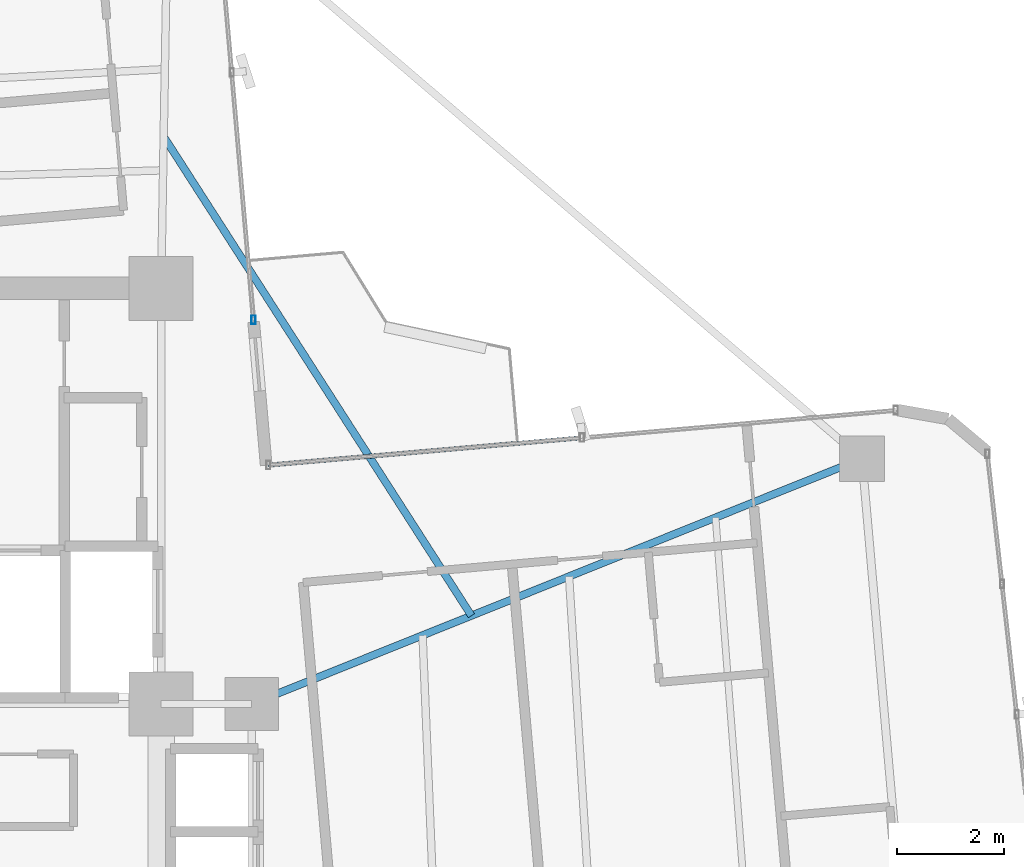
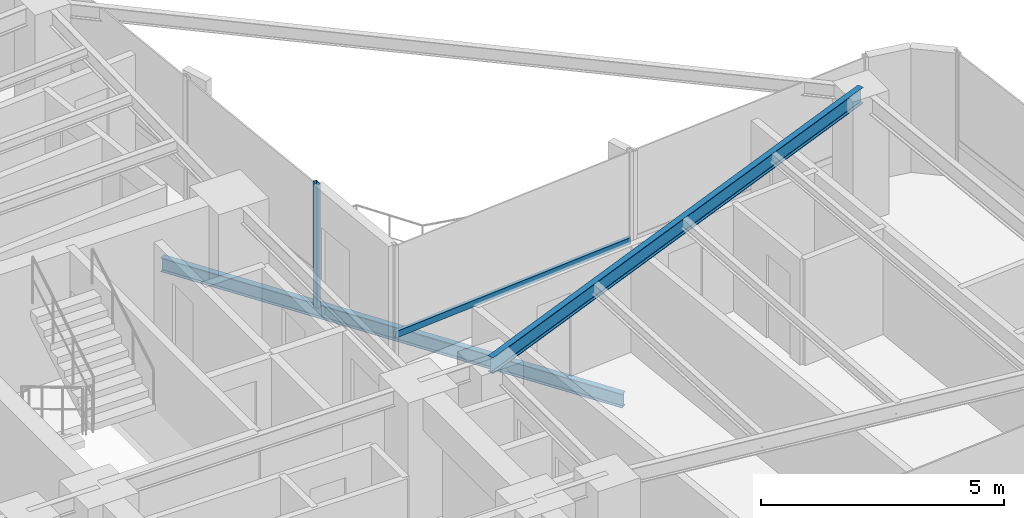
# One storey, part 12 of 24: 2 beams, 2 members, 2 elements without a shape of their own.
"""IFC4 building model written with IfcOpenShell, lengths in metres."""

from ifc_helpers import new_model, si_unit, direction, frame, origin, origin_2d, place, context, subcontext, project, spatial, hollow_rectangle, i_section, extrude, source, transform, mapped, material, material_profile, profile_set, type_object, element, aggregate, save


model = new_model("IFC4")

# Units and contexts
model_context = context("Model", 3, precision=1e-05, world=origin(), true_north=direction((0.0, 1.0)))
body_context = subcontext(model_context, "Body", "Model", "MODEL_VIEW")
ifc_project = project(units=[si_unit("LENGTHUNIT", "METRE"), si_unit("AREAUNIT", "SQUARE_METRE"), si_unit("VOLUMEUNIT", "CUBIC_METRE"), si_unit("PLANEANGLEUNIT", "RADIAN"), si_unit("MASSUNIT", "GRAM", prefix="KILO")], contexts=[model_context])

# Site, building, storey
site_placement = place(None, origin())
site = spatial("IfcSite", under=ifc_project, at=site_placement, CompositionType="ELEMENT")
building_placement = place(site_placement, origin())
building = spatial("IfcBuilding", under=site, at=building_placement, Name="Sahyath Konkavel Grand Hotel", CompositionType="ELEMENT")
storey_placement = place(building_placement, frame((0.0, 0.0, 175.199951171875)))
storey = spatial("IfcBuildingStorey", under=building, at=storey_placement, Name="L48", CompositionType="ELEMENT", Elevation=175.199951171875)

# Beam
ifc_material_1 = material(Name="Steel E350", Category="steel")
ifc_material_profile_1 = material_profile(ifc_material_1, i_section(OverallWidth=0.139892578125, OverallDepth=0.39990234375, WebThickness=0.0087890625, FlangeThickness=0.01611328125, FilletRadius=0.013916015625, at=origin_2d()), Name="ISMB 400")
ifc_profile_set_1 = profile_set([ifc_material_profile_1], Name="Steel E350")
beam_type_1 = type_object("IfcBeamType", Name="BM-ISMB400", PredefinedType="BEAM", material=ifc_profile_set_1)
shared_shape_1 = source(origin(), body_context, "Body", "SweptSolid", [
    extrude(i_section(OverallWidth=0.139892578125, OverallDepth=0.39990234375, WebThickness=0.0087890625, FlangeThickness=0.01611328125, FilletRadius=0.013916015625, at=origin_2d()), origin(), (0.0, 0.0, 1.0), 12.344970703125),
])
beam_1_placement = place(storey_placement, frame((5.5, 2.39990234375, 2.91015625), z_axis=(0.927837014101, 0.372985891507, 0.0), x_axis=(-0.372985891507, 0.927837014101, 0.0)))
element("IfcBeam", 1, at=beam_1_placement, inside=storey, type_object=beam_type_1, Name="L48 Cruciform Radial Girder EB", PredefinedType="BEAM", context=body_context, shape_type="MappedRepresentation", body=[
    mapped(shared_shape_1, transform((0.0, 0.0, 0.0), scale=1.0)),
])

# Curtain wall, member
ifc_material_2 = material(Name="Anodised Bronze Aluminium & Low-E Glazing", Category="aluminium")
curtain_wall_type = type_object("IfcCurtainWallType", Name="CW-ZONE3", PredefinedType="NOTDEFINED", material=ifc_material_2)
curtain_wall_1_placement = place(storey_placement, origin())
curtain_wall_1 = element("IfcCurtainWall", 2, at=curtain_wall_1_placement, inside=storey, type_object=curtain_wall_type, Name="L48 Unitised Curtain Wall F8", PredefinedType="NOTDEFINED")
ifc_material_3 = material(Name="Anodised Bronze Aluminium", Category="aluminium")
ifc_material_profile_2 = material_profile(ifc_material_3, hollow_rectangle(XDim=0.080078125, YDim=0.159912109375, WallThickness=0.006103515625, at=origin_2d()), Name="RHS 160x80x6")
ifc_profile_set_2 = profile_set([ifc_material_profile_2], Name="Anodised Bronze Aluminium")
member_type_1 = type_object("IfcMemberType", Name="CW-MUL-160", PredefinedType="MULLION", material=ifc_profile_set_2)
shared_shape_2 = source(origin(), body_context, "Body", "SweptSolid", [
    extrude(hollow_rectangle(XDim=0.080078125, YDim=0.159912109375, WallThickness=0.006103515625, at=origin_2d()), origin(), (0.0, 0.0, 1.0), 3.110107421875),
])
member_1_placement = place(storey_placement, frame((5.53369140625, 9.60888671875, 0.0), z_axis=(0.0, 0.0, 1.0), x_axis=(1.0, 0.0, 0.0)))
member_1 = element("IfcMember", 3, at=member_1_placement, type_object=member_type_1, Name="L48 Curtain Wall Mullion F8-0", PredefinedType="MULLION", context=body_context, shape_type="MappedRepresentation", body=[
    mapped(shared_shape_2, transform((0.0, 0.0, 0.0), scale=1.0)),
])
aggregate(curtain_wall_1, [member_1])

curtain_wall_2_placement = place(storey_placement, origin())
curtain_wall_2 = element("IfcCurtainWall", 4, at=curtain_wall_2_placement, inside=storey, type_object=curtain_wall_type, Name="L48 Unitised Curtain Wall F7", PredefinedType="NOTDEFINED")
ifc_material_profile_3 = material_profile(ifc_material_3, hollow_rectangle(XDim=0.080078125, YDim=0.159912109375, WallThickness=0.006103515625, at=origin_2d()), Name="RHS 160x80x6")
ifc_profile_set_3 = profile_set([ifc_material_profile_3], Name="Anodised Bronze Aluminium")
member_type_2 = type_object("IfcMemberType", Name="CW-TRN-160", PredefinedType="USERDEFINED", material=ifc_profile_set_3)
shared_shape_3 = source(origin(), body_context, "Body", "SweptSolid", [
    extrude(hollow_rectangle(XDim=0.080078125, YDim=0.159912109375, WallThickness=0.006103515625, at=origin_2d()), origin(), (0.0, 0.0, 1.0), 5.909912109375),
])
member_2_placement = place(storey_placement, frame((11.69970703125, 7.39794921875, 0.85009765625), z_axis=(-0.996193941691, -0.087164388014, 0.0), x_axis=(0.087164388014, -0.996193941691, 0.0)))
member_2 = element("IfcMember", 5, at=member_2_placement, type_object=member_type_2, Name="L48 Curtain Wall Transom F7-1-spandrel", ObjectType="TRANSOM", PredefinedType="USERDEFINED", context=body_context, shape_type="MappedRepresentation", body=[
    mapped(shared_shape_3, transform((0.0, 0.0, 0.0), scale=1.0)),
])
aggregate(curtain_wall_2, [member_2])

# Beam
ifc_material_profile_4 = material_profile(ifc_material_1, i_section(OverallWidth=0.139892578125, OverallDepth=0.35009765625, WebThickness=0.008056640625, FlangeThickness=0.01416015625, FilletRadius=0.013916015625, at=origin_2d()), Name="ISMB 350")
ifc_profile_set_4 = profile_set([ifc_material_profile_4], Name="Steel E350")
beam_type_2 = type_object("IfcBeamType", Name="BM-BALC-CANT", PredefinedType="BEAM", material=ifc_profile_set_4)
shared_shape_4 = source(origin(), body_context, "Body", "SweptSolid", [
    extrude(i_section(OverallWidth=0.139892578125, OverallDepth=0.35009765625, WebThickness=0.008056640625, FlangeThickness=0.01416015625, FilletRadius=0.013916015625, at=origin_2d()), origin(), (0.0, 0.0, 1.0), 10.685302734375),
])
beam_2_placement = place(storey_placement, frame((9.62353515625, 4.0576171875, -0.4150390625), z_axis=(-0.540404181048, 0.841405562797, 0.0), x_axis=(-0.841405562797, -0.540404181048, 0.0)))
element("IfcBeam", 6, at=beam_2_placement, inside=storey, type_object=beam_type_2, Name="L48 Balcony Cantilever Support Beam NE", PredefinedType="BEAM", context=body_context, shape_type="MappedRepresentation", body=[
    mapped(shared_shape_4, transform((0.0, 0.0, 0.0), scale=1.0)),
])

save(model, "model.ifc")
